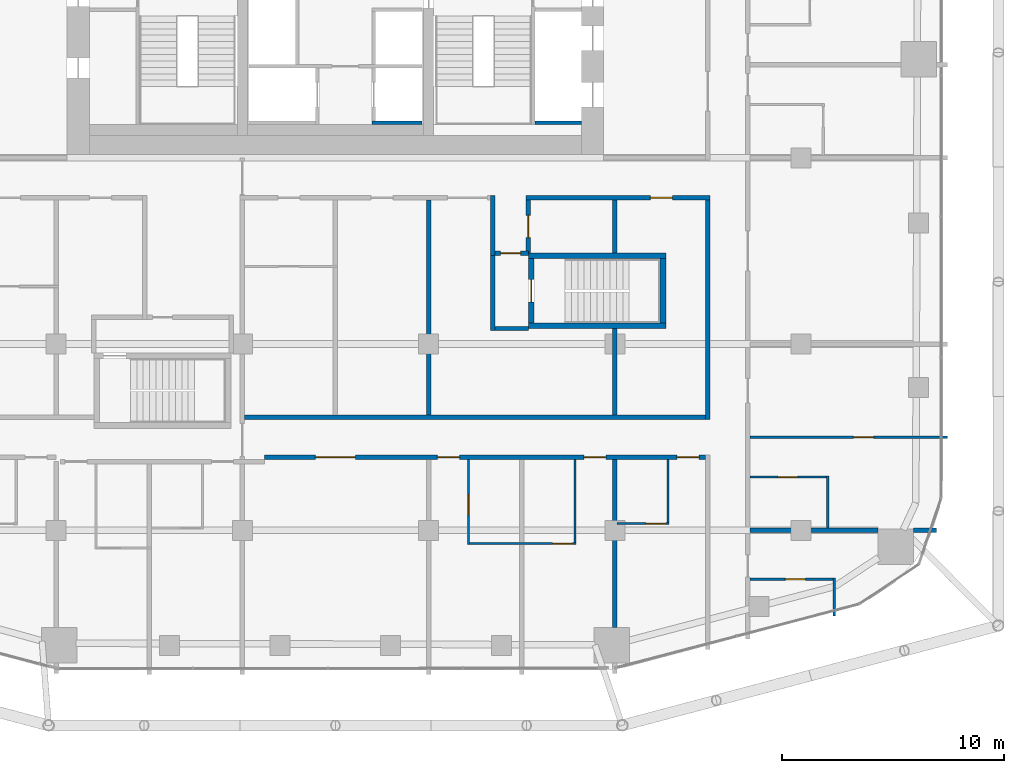
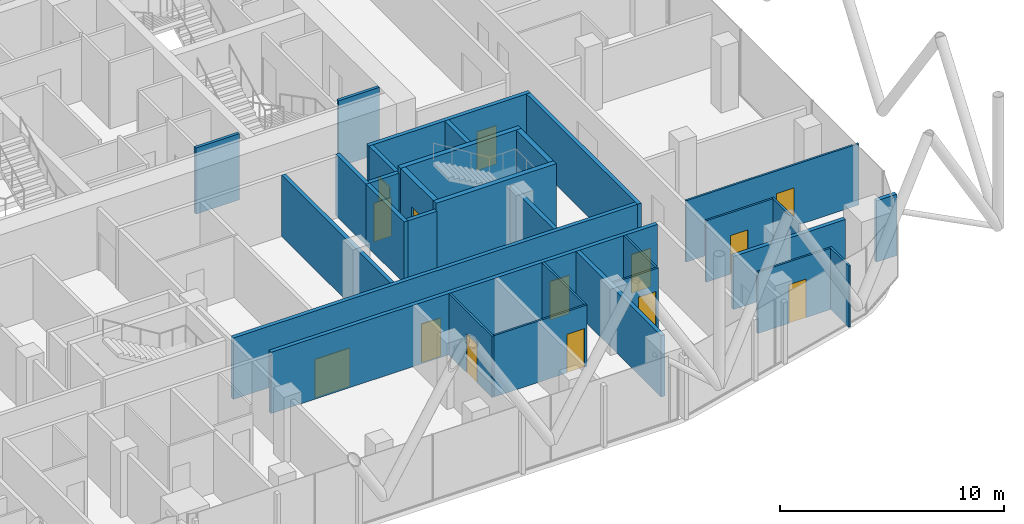
# One storey, part 26 of 33: 31 walls, 14 doors, 14 openings.
"""IFC4 building model written with IfcOpenShell, lengths in metres."""

from ifc_helpers import new_model, si_unit, direction, frame, frame_2d, origin, place, context, subcontext, project, spatial, rectangle, extrude, material, layer, layer_set, type_object, element, fill, save


model = new_model("IFC4")

# Units and contexts
model_context = context("Model", 3, precision=1e-05, world=origin(), true_north=direction((0.0, 1.0)))
body_context = subcontext(model_context, "Body", "Model", "MODEL_VIEW")
ifc_project = project(units=[si_unit("LENGTHUNIT", "METRE"), si_unit("AREAUNIT", "SQUARE_METRE"), si_unit("VOLUMEUNIT", "CUBIC_METRE"), si_unit("PLANEANGLEUNIT", "RADIAN"), si_unit("MASSUNIT", "GRAM", prefix="KILO")], contexts=[model_context])

# Site, building, storey
site_placement = place(None, origin())
site = spatial("IfcSite", under=ifc_project, at=site_placement, CompositionType="ELEMENT")
building_placement = place(site_placement, origin())
building = spatial("IfcBuilding", under=site, at=building_placement, Name="Marenta Gate Hotel Tower", CompositionType="ELEMENT")
storey_placement = place(building_placement, frame((0.0, 0.0, 122.89990234375)))
storey = spatial("IfcBuildingStorey", under=building, at=storey_placement, Name="L27", CompositionType="ELEMENT", Elevation=122.89990234375)

# Walls
ifc_material_1 = material(Name="Concrete C40", Category="concrete")
ifc_layer_1 = layer(ifc_material_1, 0.14990234375)
ifc_layer_set_1 = layer_set([ifc_layer_1], Name="Concrete C40")
wall_type_1 = type_object("IfcWallType", Name="Core shaft wall 150 REI 180", PredefinedType="SHEAR", material=ifc_layer_set_1)
wall_1_placement = place(storey_placement, frame((9.0, 1.574951171875, 0.0), z_axis=(0.0, 0.0, 1.0), x_axis=(1.0, 0.0, 0.0)))
element("IfcWall", 1, at=wall_1_placement, inside=storey, type_object=wall_type_1, Name="L27-SHF-SW-ES-5", PredefinedType="SHEAR", context=body_context, shape_type="SweptSolid", body=[
    extrude(rectangle(XDim=2.10009765625, YDim=0.14990234375, at=frame_2d((1.050048828125, 0.0))), origin(), (0.0, 0.0, 1.0), 3.60009765625),
])
wall_2_placement = place(storey_placement, frame((1.64990234375, 1.574951171875, 0.0), z_axis=(0.0, 0.0, 1.0), x_axis=(1.0, 0.0, 0.0)))
element("IfcWall", 2, at=wall_2_placement, inside=storey, type_object=wall_type_1, Name="L27-SHF-CE-S-bot", PredefinedType="SHEAR", context=body_context, shape_type="SweptSolid", body=[
    extrude(rectangle(XDim=2.25, YDim=0.14990234375, at=frame_2d((1.125, 0.0))), origin(), (0.0, 0.0, 1.0), 3.60009765625),
])
ifc_material_2 = material(Name="Concrete C40", Category="concrete")
ifc_layer_2 = layer(ifc_material_2, 0.25)
ifc_layer_set_2 = layer_set([ifc_layer_2], Name="Concrete C40")
wall_type_2 = type_object("IfcWallType", Name="Remote stair enclosure wall 250 REI 180", PredefinedType="SHEAR", material=ifc_layer_set_2)
for number, where, z_axis, x_axis, name in (
    (3, (8.699951171875, -7.574951171875, 0.10009765625), (0.0, 0.0, 1.0), (1.0, 0.0, 0.0), "L27-RS-Z2-2-W1"),
    (4, (8.699951171875, -4.425048828125, 0.10009765625), (0.0, 0.0, 1.0), (1.0, 0.0, 0.0), "L27-RS-Z2-2-W2"),
):
    element("IfcWall", number, at=place(storey_placement, frame(where, z_axis=z_axis, x_axis=x_axis)), inside=storey, type_object=wall_type_2, Name=name, PredefinedType="SHEAR", context=body_context, shape_type="SweptSolid", body=[
        extrude(rectangle(XDim=6.199951171875, YDim=0.25, at=frame_2d((3.10009765625, 0.0))), origin(), (0.0, 0.0, 1.0), 3.60009765625),
    ])

# Wall, opening, door
wall_3_placement = place(storey_placement, frame((8.824951171875, -7.449951171875, 0.10009765625), z_axis=(0.0, 0.0, 1.0), x_axis=(0.0, 1.0, 0.0)))
wall_3 = element("IfcWall", 5, at=wall_3_placement, inside=storey, type_object=wall_type_2, Name="L27-RS-Z2-2-W3", PredefinedType="SHEAR", context=body_context, shape_type="SweptSolid", body=[
    extrude(rectangle(XDim=2.89990234375, YDim=0.25, at=frame_2d((1.449951171875, 0.0))), origin(), (0.0, 0.0, 1.0), 3.60009765625),
])
opening_1_placement = place(wall_3_placement, frame((0.949951171875, 0.0, 0.0)))
opening_1 = element("IfcOpeningElement", 6, at=opening_1_placement, cuts=wall_3, Name="Opening VD", PredefinedType="OPENING", context=body_context, shape_type="SweptSolid", body=[
    extrude(rectangle(XDim=1.0, YDim=2.10009765625, at=frame_2d((0.5, 1.050048828125))), frame((0.0, 0.125, 0.0), z_axis=(0.0, -1.0, 0.0), x_axis=(1.0, 0.0, 0.0)), (0.0, 0.0, 1.0), 0.25),
])
ifc_material_3 = material(Name="Steel", Category="steel")
door_type_1 = type_object("IfcDoorType", Name="Stair vestibule door 1000x2100 FD60", OperationType="SINGLE_SWING_LEFT", PredefinedType="DOOR", material=ifc_material_3)
door_1_placement = place(opening_1_placement, origin())
door_1 = element("IfcDoor", 7, at=door_1_placement, inside=storey, type_object=door_type_1, Name="VD", OperationType="SINGLE_SWING_LEFT", OverallHeight=2.10009765625, OverallWidth=1.0, PredefinedType="DOOR", context=body_context, shape_type="SweptSolid", body=[
    extrude(rectangle(XDim=1.0, YDim=2.10009765625, at=frame_2d((0.5, 1.050048828125))), frame((0.0, 0.02490234375, 0.0), z_axis=(0.0, -1.0, 0.0), x_axis=(1.0, 0.0, 0.0)), (0.0, 0.0, 1.0), 0.050048828125),
])
fill(opening_1, door_1)

# Walls
wall_4_placement = place(storey_placement, frame((14.77490234375, -7.449951171875, 0.10009765625), z_axis=(0.0, 0.0, 1.0), x_axis=(0.0, 1.0, 0.0)))
element("IfcWall", 8, at=wall_4_placement, inside=storey, type_object=wall_type_2, Name="L27-RS-Z2-2-W4", PredefinedType="SHEAR", context=body_context, shape_type="SweptSolid", body=[
    extrude(rectangle(XDim=2.89990234375, YDim=0.25, at=frame_2d((1.449951171875, 0.0))), origin(), (0.0, 0.0, 1.0), 3.60009765625),
])
ifc_material_4 = material(Name="Concrete blockwork", Category="masonry")
ifc_layer_3 = layer(ifc_material_4, 0.199951171875)
ifc_layer_set_3 = layer_set([ifc_layer_3], Name="Concrete blockwork")
wall_type_3 = type_object("IfcWallType", Name="Room corridor wall 200 EI 120", PredefinedType="PARTITIONING", material=ifc_layer_set_3)
wall_5_placement = place(storey_placement, frame((-4.10009765625, -11.699951171875, 0.0), z_axis=(0.0, 0.0, 1.0), x_axis=(1.0, 0.0, 0.0)))
element("IfcWall", 9, at=wall_5_placement, inside=storey, type_object=wall_type_3, Name="L27-PTN-W034", PredefinedType="PARTITIONING", context=body_context, shape_type="SweptSolid", body=[
    extrude(rectangle(XDim=20.800048828125, YDim=0.199951171875, at=frame_2d((10.39990234375, 0.0))), origin(), (0.0, 0.0, 1.0), 3.340087890625),
])
ifc_material_5 = material(Name="Gypsum board on steel stud", Category="steel")
ifc_layer_4 = layer(ifc_material_5, 0.199951171875)
ifc_layer_set_4 = layer_set([ifc_layer_4], Name="Gypsum board on steel stud")
wall_type_4 = type_object("IfcWallType", Name="Room corridor wall 200 EI 60", PredefinedType="PARTITIONING", material=ifc_layer_set_4)
wall_6_placement = place(storey_placement, frame((16.800048828125, -11.800048828125, 0.0), z_axis=(0.0, 0.0, 1.0), x_axis=(0.0, 1.0, 0.0)))
element("IfcWall", 10, at=wall_6_placement, inside=storey, type_object=wall_type_4, Name="L27-PTN-W015", PredefinedType="PARTITIONING", context=body_context, shape_type="SweptSolid", body=[
    extrude(rectangle(XDim=9.900146484375, YDim=0.199951171875, at=frame_2d((4.9501953125, 0.0))), origin(), (0.0, 0.0, 1.0), 3.340087890625),
])

# Wall, openings, doors
wall_7_placement = place(storey_placement, frame((-3.199951171875, -13.5, 0.0), z_axis=(0.0, 0.0, 1.0), x_axis=(1.0, 0.0, 0.0)))
wall_7 = element("IfcWall", 11, at=wall_7_placement, inside=storey, type_object=wall_type_4, Name="L27-PTN-W027", PredefinedType="PARTITIONING", context=body_context, shape_type="SweptSolid", body=[
    extrude(rectangle(XDim=19.89990234375, YDim=0.199951171875, at=frame_2d((9.949951171875, 0.0))), origin(), (0.0, 0.0, 1.0), 3.340087890625),
])
opening_2_placement = place(wall_7_placement, frame((2.300048828125, 0.0, 0.0)))
opening_2 = element("IfcOpeningElement", 12, at=opening_2_placement, cuts=wall_7, Name="Opening G09-47", PredefinedType="OPENING", context=body_context, shape_type="SweptSolid", body=[
    extrude(rectangle(XDim=1.800048828125, YDim=2.10009765625, at=frame_2d((0.89990234375, 1.050048828125))), frame((0.0, 0.10009765625, 0.0), z_axis=(0.0, -1.0, 0.0), x_axis=(1.0, 0.0, 0.0)), (0.0, 0.0, 1.0), 0.199951171875),
])
opening_3_placement = place(wall_7_placement, frame((7.800048828125, 0.0, 0.0)))
opening_3 = element("IfcOpeningElement", 13, at=opening_3_placement, cuts=wall_7, Name="Opening G09-48", PredefinedType="OPENING", context=body_context, shape_type="SweptSolid", body=[
    extrude(rectangle(XDim=1.0, YDim=2.10009765625, at=frame_2d((0.5, 1.050048828125))), frame((0.0, 0.10009765625, 0.0), z_axis=(0.0, -1.0, 0.0), x_axis=(1.0, 0.0, 0.0)), (0.0, 0.0, 1.0), 0.199951171875),
])
opening_4_placement = place(wall_7_placement, frame((14.39990234375, 0.0, 0.0)))
opening_4 = element("IfcOpeningElement", 14, at=opening_4_placement, cuts=wall_7, Name="Opening G09-50", PredefinedType="OPENING", context=body_context, shape_type="SweptSolid", body=[
    extrude(rectangle(XDim=1.0, YDim=2.10009765625, at=frame_2d((0.5, 1.050048828125))), frame((0.0, 0.10009765625, 0.0), z_axis=(0.0, -1.0, 0.0), x_axis=(1.0, 0.0, 0.0)), (0.0, 0.0, 1.0), 0.199951171875),
])
opening_5_placement = place(wall_7_placement, frame((18.60009765625, 0.0, 0.0)))
opening_5 = element("IfcOpeningElement", 15, at=opening_5_placement, cuts=wall_7, Name="Opening G09-52", PredefinedType="OPENING", context=body_context, shape_type="SweptSolid", body=[
    extrude(rectangle(XDim=1.0, YDim=2.10009765625, at=frame_2d((0.5, 1.050048828125))), frame((0.0, 0.10009765625, 0.0), z_axis=(0.0, -1.0, 0.0), x_axis=(1.0, 0.0, 0.0)), (0.0, 0.0, 1.0), 0.199951171875),
])
ifc_material_6 = material(Name="Timber door leaf", Category="wood")
door_type_2 = type_object("IfcDoorType", Name="Guest room door 1000x2100 EI 30", OperationType="NOTDEFINED", PredefinedType="DOOR", material=ifc_material_6)
door_2_placement = place(opening_3_placement, origin())
door_2 = element("IfcDoor", 16, at=door_2_placement, inside=storey, type_object=door_type_2, Name="L27-PD-D048", OperationType="SINGLE_SWING_RIGHT", OverallHeight=2.10009765625, OverallWidth=1.0, PredefinedType="DOOR", context=body_context, shape_type="SweptSolid", body=[
    extrude(rectangle(XDim=1.0, YDim=2.10009765625, at=frame_2d((0.5, 1.050048828125))), frame((0.0, 0.02490234375, 0.0), z_axis=(0.0, -1.0, 0.0), x_axis=(1.0, 0.0, 0.0)), (0.0, 0.0, 1.0), 0.050048828125),
])
fill(opening_3, door_2)
door_3_placement = place(opening_4_placement, origin())
door_3 = element("IfcDoor", 17, at=door_3_placement, inside=storey, type_object=door_type_2, Name="L27-PD-D050", OperationType="SINGLE_SWING_RIGHT", OverallHeight=2.10009765625, OverallWidth=1.0, PredefinedType="DOOR", context=body_context, shape_type="SweptSolid", body=[
    extrude(rectangle(XDim=1.0, YDim=2.10009765625, at=frame_2d((0.5, 1.050048828125))), frame((0.0, 0.02490234375, 0.0), z_axis=(0.0, -1.0, 0.0), x_axis=(1.0, 0.0, 0.0)), (0.0, 0.0, 1.0), 0.050048828125),
])
fill(opening_4, door_3)
door_4_placement = place(opening_5_placement, origin())
door_4 = element("IfcDoor", 18, at=door_4_placement, inside=storey, type_object=door_type_2, Name="L27-PD-D052", OperationType="SINGLE_SWING_LEFT", OverallHeight=2.10009765625, OverallWidth=1.0, PredefinedType="DOOR", context=body_context, shape_type="SweptSolid", body=[
    extrude(rectangle(XDim=1.0, YDim=2.10009765625, at=frame_2d((0.5, 1.050048828125))), frame((0.0, 0.02490234375, 0.0), z_axis=(0.0, -1.0, 0.0), x_axis=(1.0, 0.0, 0.0)), (0.0, 0.0, 1.0), 0.050048828125),
])
fill(opening_5, door_4)
ifc_material_7 = material(Name="Timber door leaf", Category="wood")
door_type_3 = type_object("IfcDoorType", Name="Room amenity door 1800x2100 EI 30", OperationType="DOUBLE_DOOR_SINGLE_SWING", PredefinedType="DOOR", material=ifc_material_7)
door_5_placement = place(opening_2_placement, origin())
door_5 = element("IfcDoor", 19, at=door_5_placement, inside=storey, type_object=door_type_3, Name="L27-PD-D047", OperationType="DOUBLE_DOOR_SINGLE_SWING", OverallHeight=2.10009765625, OverallWidth=1.800048828125, PredefinedType="DOOR", context=body_context, shape_type="SweptSolid", body=[
    extrude(rectangle(XDim=1.800048828125, YDim=2.10009765625, at=frame_2d((0.89990234375, 1.050048828125))), frame((0.0, 0.02490234375, 0.0), z_axis=(0.0, -1.0, 0.0), x_axis=(1.0, 0.0, 0.0)), (0.0, 0.0, 1.0), 0.050048828125),
])
fill(opening_2, door_5)

# Wall, opening, door
wall_8_placement = place(storey_placement, frame((8.699951171875, -4.300048828125, 0.0), z_axis=(0.0, 0.0, 1.0), x_axis=(0.0, 1.0, 0.0)))
wall_8 = element("IfcWall", 20, at=wall_8_placement, inside=storey, type_object=wall_type_4, Name="L27-PTN-W038", PredefinedType="PARTITIONING", context=body_context, shape_type="SweptSolid", body=[
    extrude(rectangle(XDim=2.400146484375, YDim=0.199951171875, at=frame_2d((1.2001953125, 0.0))), origin(), (0.0, 0.0, 1.0), 3.340087890625),
])
opening_6_placement = place(wall_8_placement, frame((0.699951171875, 0.0, 0.0)))
opening_6 = element("IfcOpeningElement", 21, at=opening_6_placement, cuts=wall_8, Name="Opening G09-73", PredefinedType="OPENING", context=body_context, shape_type="SweptSolid", body=[
    extrude(rectangle(XDim=1.0, YDim=2.10009765625, at=frame_2d((0.5, 1.050048828125))), frame((0.0, 0.10009765625, 0.0), z_axis=(0.0, -1.0, 0.0), x_axis=(1.0, 0.0, 0.0)), (0.0, 0.0, 1.0), 0.199951171875),
])
ifc_material_8 = material(Name="Timber door leaf", Category="wood")
door_type_4 = type_object("IfcDoorType", Name="Room amenity door 1000x2100 EI 30", OperationType="NOTDEFINED", PredefinedType="DOOR", material=ifc_material_8)
door_6_placement = place(opening_6_placement, origin())
door_6 = element("IfcDoor", 22, at=door_6_placement, inside=storey, type_object=door_type_4, Name="L27-PD-D073", OperationType="SINGLE_SWING_LEFT", OverallHeight=2.10009765625, OverallWidth=1.0, PredefinedType="DOOR", context=body_context, shape_type="SweptSolid", body=[
    extrude(rectangle(XDim=1.0, YDim=2.10009765625, at=frame_2d((0.5, 1.050048828125))), frame((0.0, 0.02490234375, 0.0), z_axis=(0.0, -1.0, 0.0), x_axis=(1.0, 0.0, 0.0)), (0.0, 0.0, 1.0), 0.050048828125),
])
fill(opening_6, door_6)

# Wall
wall_9_placement = place(storey_placement, frame((7.10009765625, -4.39990234375, 0.0), z_axis=(0.0, 0.0, 1.0), x_axis=(0.0, 1.0, 0.0)))
element("IfcWall", 23, at=wall_9_placement, inside=storey, type_object=wall_type_4, Name="L27-PTN-W047", PredefinedType="PARTITIONING", context=body_context, shape_type="SweptSolid", body=[
    extrude(rectangle(XDim=2.699951171875, YDim=0.199951171875, at=frame_2d((1.35009765625, 0.0))), origin(), (0.0, 0.0, 1.0), 3.340087890625),
])

# Wall, opening, door
wall_10_placement = place(storey_placement, frame((8.60009765625, -1.800048828125, 0.0), z_axis=(0.0, 0.0, 1.0), x_axis=(1.0, 0.0, 0.0)))
wall_10 = element("IfcWall", 24, at=wall_10_placement, inside=storey, type_object=wall_type_4, Name="L27-PTN-W061", PredefinedType="PARTITIONING", context=body_context, shape_type="SweptSolid", body=[
    extrude(rectangle(XDim=8.2998046875, YDim=0.199951171875, at=frame_2d((4.14990234375, 0.0))), origin(), (0.0, 0.0, 1.0), 3.340087890625),
])
opening_7_placement = place(wall_10_placement, frame((5.60009765625, 0.0, 0.0)))
opening_7 = element("IfcOpeningElement", 25, at=opening_7_placement, cuts=wall_10, Name="Opening G09-08", PredefinedType="OPENING", context=body_context, shape_type="SweptSolid", body=[
    extrude(rectangle(XDim=1.0, YDim=2.10009765625, at=frame_2d((0.5, 1.050048828125))), frame((0.0, 0.10009765625, 0.0), z_axis=(0.0, -1.0, 0.0), x_axis=(1.0, 0.0, 0.0)), (0.0, 0.0, 1.0), 0.199951171875),
])
door_7_placement = place(opening_7_placement, origin())
door_7 = element("IfcDoor", 26, at=door_7_placement, inside=storey, type_object=door_type_4, Name="L27-PD-D008", OperationType="SINGLE_SWING_RIGHT", OverallHeight=2.10009765625, OverallWidth=1.0, PredefinedType="DOOR", context=body_context, shape_type="SweptSolid", body=[
    extrude(rectangle(XDim=1.0, YDim=2.10009765625, at=frame_2d((0.5, 1.050048828125))), frame((0.0, 0.02490234375, 0.0), z_axis=(0.0, -1.0, 0.0), x_axis=(1.0, 0.0, 0.0)), (0.0, 0.0, 1.0), 0.050048828125),
])
fill(opening_7, door_7)

ifc_material_9 = material(Name="Concrete blockwork", Category="masonry")
ifc_layer_5 = layer(ifc_material_9, 0.199951171875)
ifc_layer_set_5 = layer_set([ifc_layer_5], Name="Concrete blockwork")
wall_type_5 = type_object("IfcWallType", Name="Room corridor wall 200 REI 180", PredefinedType="PARTITIONING", material=ifc_layer_set_5)
wall_11_placement = place(storey_placement, frame((7.199951171875, -4.300048828125, 0.0), z_axis=(0.0, 0.0, 1.0), x_axis=(1.0, 0.0, 0.0)))
wall_11 = element("IfcWall", 27, at=wall_11_placement, inside=storey, type_object=wall_type_5, Name="L27-PTN-W052", PredefinedType="PARTITIONING", context=body_context, shape_type="SweptSolid", body=[
    extrude(rectangle(XDim=1.5, YDim=0.199951171875, at=frame_2d((0.75, 0.0))), origin(), (0.0, 0.0, 1.0), 3.340087890625),
])
opening_8_placement = place(wall_11_placement, frame((0.25, 0.0, 0.0)))
opening_8 = element("IfcOpeningElement", 28, at=opening_8_placement, cuts=wall_11, Name="Opening G09-70", PredefinedType="OPENING", context=body_context, shape_type="SweptSolid", body=[
    extrude(rectangle(XDim=0.89990234375, YDim=2.10009765625, at=frame_2d((0.449951171875, 1.050048828125))), frame((0.0, 0.10009765625, 0.0), z_axis=(0.0, -1.0, 0.0), x_axis=(1.0, 0.0, 0.0)), (0.0, 0.0, 1.0), 0.199951171875),
])
ifc_material_10 = material(Name="Hollow steel door set", Category="steel")
door_type_5 = type_object("IfcDoorType", Name="Stair vestibule door 900x2100 EI 60", OperationType="NOTDEFINED", PredefinedType="DOOR", material=ifc_material_10)
door_8_placement = place(opening_8_placement, origin())
door_8 = element("IfcDoor", 29, at=door_8_placement, inside=storey, type_object=door_type_5, Name="L27-PD-D070", OperationType="SINGLE_SWING_RIGHT", OverallHeight=2.10009765625, OverallWidth=0.89990234375, PredefinedType="DOOR", context=body_context, shape_type="SweptSolid", body=[
    extrude(rectangle(XDim=0.89990234375, YDim=2.10009765625, at=frame_2d((0.449951171875, 1.050048828125))), frame((0.0, 0.02490234375, 0.0), z_axis=(0.0, -1.0, 0.0), x_axis=(1.0, 0.0, 0.0)), (0.0, 0.0, 1.0), 0.050048828125),
])
fill(opening_8, door_8)

# Walls
ifc_material_11 = material(Name="Gypsum board on steel stud", Category="steel")
ifc_layer_6 = layer(ifc_material_11, 0.10009765625)
ifc_layer_set_6 = layer_set([ifc_layer_6], Name="Gypsum board on steel stud")
wall_type_6 = type_object("IfcWallType", Name="Room partition 100", PredefinedType="PARTITIONING", material=ifc_layer_set_6)
wall_12_placement = place(storey_placement, frame((22.5, -20.674072265625, 0.0), z_axis=(0.0, 0.0, 1.0), x_axis=(0.0, 1.0, 0.0)))
element("IfcWall", 30, at=wall_12_placement, inside=storey, type_object=wall_type_6, Name="L27-PTN-W001", PredefinedType="PARTITIONING", context=body_context, shape_type="SweptSolid", body=[
    extrude(rectangle(XDim=1.716064453125, YDim=0.10009765625, at=frame_2d((0.85791015625, 0.0))), origin(), (0.0, 0.0, 1.0), 3.340087890625),
])
wall_13_placement = place(storey_placement, frame((22.199951171875, -16.699951171875, 0.0), z_axis=(0.0, 0.0, 1.0), x_axis=(0.0, 1.0, 0.0)))
element("IfcWall", 31, at=wall_13_placement, inside=storey, type_object=wall_type_6, Name="L27-PTN-W002", PredefinedType="PARTITIONING", context=body_context, shape_type="SweptSolid", body=[
    extrude(rectangle(XDim=2.349853515625, YDim=0.10009765625, at=frame_2d((1.1748046875, 0.0))), origin(), (0.0, 0.0, 1.0), 3.340087890625),
])

# Wall, opening, door
wall_14_placement = place(storey_placement, frame((18.699951171875, -19.008056640625, 0.0), z_axis=(0.0, 0.0, 1.0), x_axis=(1.0, 0.0, 0.0)))
wall_14 = element("IfcWall", 32, at=wall_14_placement, inside=storey, type_object=wall_type_6, Name="L27-PTN-W009", PredefinedType="PARTITIONING", context=body_context, shape_type="SweptSolid", body=[
    extrude(rectangle(XDim=3.75, YDim=0.10009765625, at=frame_2d((1.875, 0.0))), origin(), (0.0, 0.0, 1.0), 3.340087890625),
])
opening_9_placement = place(wall_14_placement, frame((1.594970703125, 0.0, 0.0)))
opening_9 = element("IfcOpeningElement", 33, at=opening_9_placement, cuts=wall_14, Name="Opening G09-10", PredefinedType="OPENING", context=body_context, shape_type="SweptSolid", body=[
    extrude(rectangle(XDim=0.89990234375, YDim=2.10009765625, at=frame_2d((0.449951171875, 1.050048828125))), frame((0.0, 0.050048828125, 0.0), z_axis=(0.0, -1.0, 0.0), x_axis=(1.0, 0.0, 0.0)), (0.0, 0.0, 1.0), 0.10009765625),
])
ifc_material_12 = material(Name="Timber door leaf", Category="wood")
door_type_6 = type_object("IfcDoorType", Name="Guest bathroom door 900x2100", OperationType="NOTDEFINED", PredefinedType="DOOR", material=ifc_material_12)
door_9_placement = place(opening_9_placement, origin())
door_9 = element("IfcDoor", 34, at=door_9_placement, inside=storey, type_object=door_type_6, Name="L27-PD-D010", OperationType="SINGLE_SWING_RIGHT", OverallHeight=2.10009765625, OverallWidth=0.89990234375, PredefinedType="DOOR", context=body_context, shape_type="SweptSolid", body=[
    extrude(rectangle(XDim=0.89990234375, YDim=2.10009765625, at=frame_2d((0.449951171875, 1.050048828125))), frame((0.0, 0.02490234375, 0.0), z_axis=(0.0, -1.0, 0.0), x_axis=(1.0, 0.0, 0.0)), (0.0, 0.0, 1.0), 0.050048828125),
])
fill(opening_9, door_9)

wall_15_placement = place(storey_placement, frame((6.050048828125, -17.39990234375, 0.0), z_axis=(0.0, 0.0, 1.0), x_axis=(1.0, 0.0, 0.0)))
wall_15 = element("IfcWall", 35, at=wall_15_placement, inside=storey, type_object=wall_type_6, Name="L27-PTN-W013", PredefinedType="PARTITIONING", context=body_context, shape_type="SweptSolid", body=[
    extrude(rectangle(XDim=4.800048828125, YDim=0.10009765625, at=frame_2d((2.39990234375, 0.0))), origin(), (0.0, 0.0, 1.0), 3.340087890625),
])
opening_10_placement = place(wall_15_placement, frame((3.75, 0.0, 0.0)))
opening_10 = element("IfcOpeningElement", 36, at=opening_10_placement, cuts=wall_15, Name="Opening G09-51", PredefinedType="OPENING", context=body_context, shape_type="SweptSolid", body=[
    extrude(rectangle(XDim=0.89990234375, YDim=2.10009765625, at=frame_2d((0.449951171875, 1.050048828125))), frame((0.0, 0.050048828125, 0.0), z_axis=(0.0, -1.0, 0.0), x_axis=(1.0, 0.0, 0.0)), (0.0, 0.0, 1.0), 0.10009765625),
])
door_10_placement = place(opening_10_placement, origin())
door_10 = element("IfcDoor", 37, at=door_10_placement, inside=storey, type_object=door_type_6, Name="L27-PD-D051", OperationType="SINGLE_SWING_RIGHT", OverallHeight=2.10009765625, OverallWidth=0.89990234375, PredefinedType="DOOR", context=body_context, shape_type="SweptSolid", body=[
    extrude(rectangle(XDim=0.89990234375, YDim=2.10009765625, at=frame_2d((0.449951171875, 1.050048828125))), frame((0.0, 0.02490234375, 0.0), z_axis=(0.0, -1.0, 0.0), x_axis=(1.0, 0.0, 0.0)), (0.0, 0.0, 1.0), 0.050048828125),
])
fill(opening_10, door_10)

wall_16_placement = place(storey_placement, frame((12.699951171875, -16.5, 0.0), z_axis=(0.0, 0.0, 1.0), x_axis=(1.0, 0.0, 0.0)))
wall_16 = element("IfcWall", 38, at=wall_16_placement, inside=storey, type_object=wall_type_6, Name="L27-PTN-W021", PredefinedType="PARTITIONING", context=body_context, shape_type="SweptSolid", body=[
    extrude(rectangle(XDim=2.35009765625, YDim=0.10009765625, at=frame_2d((1.175048828125, 0.0))), origin(), (0.0, 0.0, 1.0), 3.340087890625),
])
opening_11_placement = place(wall_16_placement, frame((1.300048828125, 0.0, 0.0)))
opening_11 = element("IfcOpeningElement", 39, at=opening_11_placement, cuts=wall_16, Name="Opening G09-53", PredefinedType="OPENING", context=body_context, shape_type="SweptSolid", body=[
    extrude(rectangle(XDim=0.89990234375, YDim=2.10009765625, at=frame_2d((0.449951171875, 1.050048828125))), frame((0.0, 0.050048828125, 0.0), z_axis=(0.0, -1.0, 0.0), x_axis=(1.0, 0.0, 0.0)), (0.0, 0.0, 1.0), 0.10009765625),
])
door_11_placement = place(opening_11_placement, origin())
door_11 = element("IfcDoor", 40, at=door_11_placement, inside=storey, type_object=door_type_6, Name="L27-PD-D053", OperationType="SINGLE_SWING_RIGHT", OverallHeight=2.10009765625, OverallWidth=0.89990234375, PredefinedType="DOOR", context=body_context, shape_type="SweptSolid", body=[
    extrude(rectangle(XDim=0.89990234375, YDim=2.10009765625, at=frame_2d((0.449951171875, 1.050048828125))), frame((0.0, 0.02490234375, 0.0), z_axis=(0.0, -1.0, 0.0), x_axis=(1.0, 0.0, 0.0)), (0.0, 0.0, 1.0), 0.050048828125),
])
fill(opening_11, door_11)

# Wall
wall_17_placement = place(storey_placement, frame((15.0, -16.449951171875, 0.0), z_axis=(0.0, 0.0, 1.0), x_axis=(0.0, 1.0, 0.0)))
element("IfcWall", 41, at=wall_17_placement, inside=storey, type_object=wall_type_6, Name="L27-PTN-W022", PredefinedType="PARTITIONING", context=body_context, shape_type="SweptSolid", body=[
    extrude(rectangle(XDim=2.849853515625, YDim=0.10009765625, at=frame_2d((1.4248046875, 0.0))), origin(), (0.0, 0.0, 1.0), 3.340087890625),
])

# Wall, opening, door
wall_18_placement = place(storey_placement, frame((18.699951171875, -14.39990234375, 0.0), z_axis=(0.0, 0.0, 1.0), x_axis=(1.0, 0.0, 0.0)))
wall_18 = element("IfcWall", 42, at=wall_18_placement, inside=storey, type_object=wall_type_6, Name="L27-PTN-W024", PredefinedType="PARTITIONING", context=body_context, shape_type="SweptSolid", body=[
    extrude(rectangle(XDim=3.449951171875, YDim=0.10009765625, at=frame_2d((1.72509765625, 0.0))), origin(), (0.0, 0.0, 1.0), 3.340087890625),
])
opening_12_placement = place(wall_18_placement, frame((1.25, 0.0, 0.0)))
opening_12 = element("IfcOpeningElement", 43, at=opening_12_placement, cuts=wall_18, Name="Opening G09-13", PredefinedType="OPENING", context=body_context, shape_type="SweptSolid", body=[
    extrude(rectangle(XDim=0.89990234375, YDim=2.10009765625, at=frame_2d((0.449951171875, 1.050048828125))), frame((0.0, 0.050048828125, 0.0), z_axis=(0.0, -1.0, 0.0), x_axis=(1.0, 0.0, 0.0)), (0.0, 0.0, 1.0), 0.10009765625),
])
door_12_placement = place(opening_12_placement, origin())
door_12 = element("IfcDoor", 44, at=door_12_placement, inside=storey, type_object=door_type_6, Name="L27-PD-D013", OperationType="SINGLE_SWING_RIGHT", OverallHeight=2.10009765625, OverallWidth=0.89990234375, PredefinedType="DOOR", context=body_context, shape_type="SweptSolid", body=[
    extrude(rectangle(XDim=0.89990234375, YDim=2.10009765625, at=frame_2d((0.449951171875, 1.050048828125))), frame((0.0, 0.02490234375, 0.0), z_axis=(0.0, -1.0, 0.0), x_axis=(1.0, 0.0, 0.0)), (0.0, 0.0, 1.0), 0.050048828125),
])
fill(opening_12, door_12)

wall_19_placement = place(storey_placement, frame((18.699951171875, -12.60009765625, 0.0), z_axis=(0.0, 0.0, 1.0), x_axis=(1.0, 0.0, 0.0)))
wall_19 = element("IfcWall", 45, at=wall_19_placement, inside=storey, type_object=wall_type_6, Name="L27-PTN-W032", PredefinedType="PARTITIONING", context=body_context, shape_type="SweptSolid", body=[
    extrude(rectangle(XDim=8.900146484375, YDim=0.10009765625, at=frame_2d((4.4501953125, 0.0))), origin(), (0.0, 0.0, 1.0), 3.340087890625),
])
opening_13_placement = place(wall_19_placement, frame((4.669921875, 0.0, 0.0)))
opening_13 = element("IfcOpeningElement", 46, at=opening_13_placement, cuts=wall_19, Name="Opening G09-12", PredefinedType="OPENING", context=body_context, shape_type="SweptSolid", body=[
    extrude(rectangle(XDim=0.89990234375, YDim=2.10009765625, at=frame_2d((0.449951171875, 1.050048828125))), frame((0.0, 0.050048828125, 0.0), z_axis=(0.0, -1.0, 0.0), x_axis=(1.0, 0.0, 0.0)), (0.0, 0.0, 1.0), 0.10009765625),
])
ifc_material_13 = material(Name="Timber door leaf", Category="wood")
door_type_7 = type_object("IfcDoorType", Name="Room inner door 900x2100", OperationType="NOTDEFINED", PredefinedType="DOOR", material=ifc_material_13)
door_13_placement = place(opening_13_placement, origin())
door_13 = element("IfcDoor", 47, at=door_13_placement, inside=storey, type_object=door_type_7, Name="L27-PD-D012", OperationType="SINGLE_SWING_RIGHT", OverallHeight=2.10009765625, OverallWidth=0.89990234375, PredefinedType="DOOR", context=body_context, shape_type="SweptSolid", body=[
    extrude(rectangle(XDim=0.89990234375, YDim=2.10009765625, at=frame_2d((0.449951171875, 1.050048828125))), frame((0.0, 0.02490234375, 0.0), z_axis=(0.0, -1.0, 0.0), x_axis=(1.0, 0.0, 0.0)), (0.0, 0.0, 1.0), 0.050048828125),
])
fill(opening_13, door_13)

# Wall
wall_20_placement = place(storey_placement, frame((10.800048828125, -17.35009765625, 0.0), z_axis=(0.0, 0.0, 1.0), x_axis=(0.0, 1.0, 0.0)))
element("IfcWall", 48, at=wall_20_placement, inside=storey, type_object=wall_type_6, Name="L27-PTN-W035", PredefinedType="PARTITIONING", context=body_context, shape_type="SweptSolid", body=[
    extrude(rectangle(XDim=3.75, YDim=0.10009765625, at=frame_2d((1.875, 0.0))), origin(), (0.0, 0.0, 1.0), 3.340087890625),
])

# Wall, opening, door
wall_21_placement = place(storey_placement, frame((6.0, -17.449951171875, 0.0), z_axis=(0.0, 0.0, 1.0), x_axis=(0.0, 1.0, 0.0)))
wall_21 = element("IfcWall", 49, at=wall_21_placement, inside=storey, type_object=wall_type_6, Name="L27-PTN-W049", PredefinedType="PARTITIONING", context=body_context, shape_type="SweptSolid", body=[
    extrude(rectangle(XDim=3.849853515625, YDim=0.10009765625, at=frame_2d((1.9248046875, 0.0))), origin(), (0.0, 0.0, 1.0), 3.340087890625),
])
opening_14_placement = place(wall_21_placement, frame((1.35498046875, 0.0, 0.0)))
opening_14 = element("IfcOpeningElement", 50, at=opening_14_placement, cuts=wall_21, Name="Opening G09-49", PredefinedType="OPENING", context=body_context, shape_type="SweptSolid", body=[
    extrude(rectangle(XDim=0.89990234375, YDim=2.10009765625, at=frame_2d((0.449951171875, 1.050048828125))), frame((0.0, 0.050048828125, 0.0), z_axis=(0.0, -1.0, 0.0), x_axis=(1.0, 0.0, 0.0)), (0.0, 0.0, 1.0), 0.10009765625),
])
door_14_placement = place(opening_14_placement, origin())
door_14 = element("IfcDoor", 51, at=door_14_placement, inside=storey, type_object=door_type_6, Name="L27-PD-D049", OperationType="SINGLE_SWING_RIGHT", OverallHeight=2.10009765625, OverallWidth=0.89990234375, PredefinedType="DOOR", context=body_context, shape_type="SweptSolid", body=[
    extrude(rectangle(XDim=0.89990234375, YDim=2.10009765625, at=frame_2d((0.449951171875, 1.050048828125))), frame((0.0, 0.02490234375, 0.0), z_axis=(0.0, -1.0, 0.0), x_axis=(1.0, 0.0, 0.0)), (0.0, 0.0, 1.0), 0.050048828125),
])
fill(opening_14, door_14)

# Walls
ifc_material_14 = material(Name="Gypsum board on steel stud", Category="steel")
ifc_layer_7 = layer(ifc_material_14, 0.199951171875)
ifc_layer_set_7 = layer_set([ifc_layer_7], Name="Gypsum board on steel stud")
wall_type_7 = type_object("IfcWallType", Name="Room party wall 200 EI 60", PredefinedType="PARTITIONING", material=ifc_layer_set_7)
wall_22_placement = place(storey_placement, frame((18.699951171875, -16.800048828125, 0.0), z_axis=(0.0, 0.0, 1.0), x_axis=(1.0, 0.0, 0.0)))
element("IfcWall", 52, at=wall_22_placement, inside=storey, type_object=wall_type_7, Name="L27-PTN-W018", PredefinedType="PARTITIONING", context=body_context, shape_type="SweptSolid", body=[
    extrude(rectangle(XDim=5.762939453125, YDim=0.199951171875, at=frame_2d((2.88134765625, 0.0))), origin(), (0.0, 0.0, 1.0), 2.89013671875),
])
wall_23_placement = place(storey_placement, frame((26.06298828125, -16.800048828125, 0.0), z_axis=(0.0, 0.0, 1.0), x_axis=(1.0, 0.0, 0.0)))
element("IfcWall", 53, at=wall_23_placement, inside=storey, type_object=wall_type_7, Name="L27-PTN-W131", PredefinedType="PARTITIONING", context=body_context, shape_type="SweptSolid", body=[
    extrude(rectangle(XDim=1.049072265625, YDim=0.199951171875, at=frame_2d((0.5244140625, 0.0))), origin(), (0.0, 0.0, 1.0), 3.340087890625),
])
wall_24_placement = place(storey_placement, frame((12.60009765625, -21.175048828125, 0.0), z_axis=(0.0, 0.0, 1.0), x_axis=(0.0, 1.0, 0.0)))
element("IfcWall", 54, at=wall_24_placement, inside=storey, type_object=wall_type_7, Name="L27-PTN-W132", PredefinedType="PARTITIONING", context=body_context, shape_type="SweptSolid", body=[
    extrude(rectangle(XDim=7.574951171875, YDim=0.199951171875, at=frame_2d((3.78759765625, 0.0))), origin(), (0.0, 0.0, 1.0), 3.340087890625),
])
wall_25_placement = place(storey_placement, frame((12.60009765625, -11.60009765625, 0.0), z_axis=(0.0, 0.0, 1.0), x_axis=(0.0, 1.0, 0.0)))
element("IfcWall", 55, at=wall_25_placement, inside=storey, type_object=wall_type_7, Name="L27-PTN-W029", PredefinedType="PARTITIONING", context=body_context, shape_type="SweptSolid", body=[
    extrude(rectangle(XDim=3.900146484375, YDim=0.199951171875, at=frame_2d((1.9501953125, 0.0))), origin(), (0.0, 0.0, 1.0), 3.340087890625),
])
wall_26_placement = place(storey_placement, frame((12.60009765625, -4.300048828125, 0.0), z_axis=(0.0, 0.0, 1.0), x_axis=(0.0, 1.0, 0.0)))
element("IfcWall", 56, at=wall_26_placement, inside=storey, type_object=wall_type_7, Name="L27-PTN-W030", PredefinedType="PARTITIONING", context=body_context, shape_type="SweptSolid", body=[
    extrude(rectangle(XDim=2.400146484375, YDim=0.199951171875, at=frame_2d((1.2001953125, 0.0))), origin(), (0.0, 0.0, 1.0), 3.340087890625),
])
wall_27_placement = place(storey_placement, frame((4.199951171875, -11.60009765625, 0.0), z_axis=(0.0, 0.0, 1.0), x_axis=(0.0, 1.0, 0.0)))
element("IfcWall", 57, at=wall_27_placement, inside=storey, type_object=wall_type_7, Name="L27-PTN-W054", PredefinedType="PARTITIONING", context=body_context, shape_type="SweptSolid", body=[
    extrude(rectangle(XDim=9.7001953125, YDim=0.199951171875, at=frame_2d((4.85009765625, 0.0))), origin(), (0.0, 0.0, 1.0), 3.340087890625),
])
ifc_material_15 = material(Name="Concrete blockwork", Category="masonry")
ifc_layer_8 = layer(ifc_material_15, 0.199951171875)
ifc_layer_set_8 = layer_set([ifc_layer_8], Name="Concrete blockwork")
wall_type_8 = type_object("IfcWallType", Name="Room party wall 200 REI 180", PredefinedType="PARTITIONING", material=ifc_layer_set_8)
wall_28_placement = place(storey_placement, frame((7.199951171875, -7.699951171875, 0.0), z_axis=(0.0, 0.0, 1.0), x_axis=(1.0, 0.0, 0.0)))
element("IfcWall", 58, at=wall_28_placement, inside=storey, type_object=wall_type_8, Name="L27-PTN-W043", PredefinedType="PARTITIONING", context=body_context, shape_type="SweptSolid", body=[
    extrude(rectangle(XDim=1.5, YDim=0.199951171875, at=frame_2d((0.75, 0.0))), origin(), (0.0, 0.0, 1.0), 3.340087890625),
])
wall_29_placement = place(storey_placement, frame((7.10009765625, -7.800048828125, 0.0), z_axis=(0.0, 0.0, 1.0), x_axis=(0.0, 1.0, 0.0)))
element("IfcWall", 59, at=wall_29_placement, inside=storey, type_object=wall_type_8, Name="L27-PTN-W046", PredefinedType="PARTITIONING", context=body_context, shape_type="SweptSolid", body=[
    extrude(rectangle(XDim=3.400146484375, YDim=0.199951171875, at=frame_2d((1.7001953125, 0.0))), origin(), (0.0, 0.0, 1.0), 3.340087890625),
])

save(model, "model.ifc")
